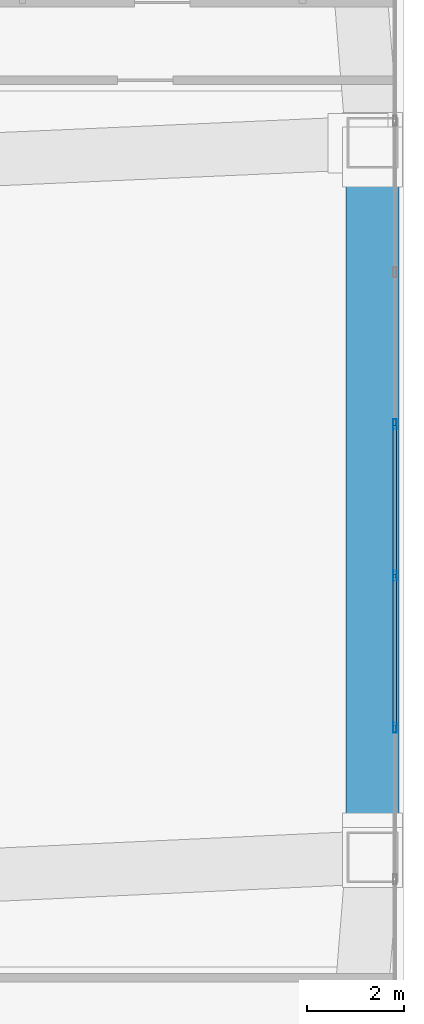
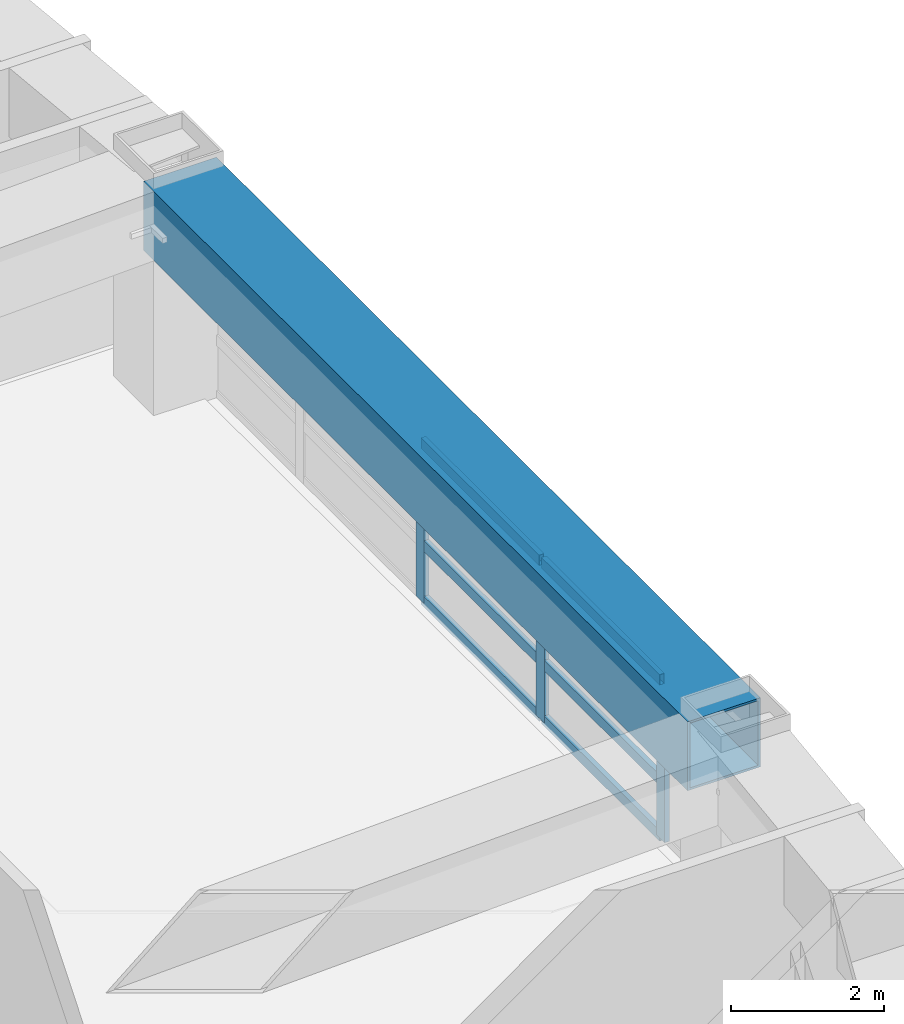
# One storey, part 4 of 16: 9 members, 1 beam, 1 element without a shape of its own.
"""IFC4 building model written with IfcOpenShell, lengths in metres."""

from ifc_helpers import new_model, si_unit, direction, frame, origin, origin_2d, place, context, subcontext, project, spatial, hollow_rectangle, extrude, material, layer, layer_set, material_profile, profile_set, type_object, element, aggregate, save


model = new_model("IFC4")

# Units and contexts
model_context = context("Model", 3, precision=1e-05, world=origin(), true_north=direction((0.0, 1.0)))
body_context = subcontext(model_context, "Body", "Model", "MODEL_VIEW")
ifc_project = project(units=[si_unit("LENGTHUNIT", "METRE"), si_unit("AREAUNIT", "SQUARE_METRE"), si_unit("VOLUMEUNIT", "CUBIC_METRE"), si_unit("PLANEANGLEUNIT", "RADIAN"), si_unit("MASSUNIT", "GRAM", prefix="KILO")], contexts=[model_context])

# Site, building, storey
site_placement = place(None, origin())
site = spatial("IfcSite", under=ifc_project, at=site_placement, CompositionType="ELEMENT")
building_placement = place(site_placement, origin())
building = spatial("IfcBuilding", under=site, at=building_placement, Name="Voryun Gate Residences", CompositionType="ELEMENT")
storey_placement = place(building_placement, frame((0.0, 0.0, 89.699951171875)))
storey = spatial("IfcBuildingStorey", under=building, at=storey_placement, Name="L21", CompositionType="ELEMENT", Elevation=89.699951171875)

# Beam
ifc_material_1 = material(Name="Steel SM420", Category="steel")
ifc_material_profile_1 = material_profile(ifc_material_1, hollow_rectangle(XDim=1.10009765625, YDim=1.10009765625, WallThickness=0.035888671875, at=origin_2d()), Name="BOX-1100x1100x36")
ifc_profile_set_1 = profile_set([ifc_material_profile_1], Name="Steel SM420")
beam_type = type_object("IfcBeamType", Name="BM_ARCH_RIB", PredefinedType="USERDEFINED", material=ifc_profile_set_1)
beam_placement = place(storey_placement, frame((32.75, -6.498046875, 3.10009765625), z_axis=(0.0, 1.0, 0.0), x_axis=(-1.0, 0.0, 0.0)))
element("IfcBeam", 1, at=beam_placement, inside=storey, type_object=beam_type, Name="BM-L21-SPAND-08", ObjectType="GIRDER", PredefinedType="USERDEFINED", context=body_context, shape_type="SweptSolid", body=[
    extrude(hollow_rectangle(XDim=1.10009765625, YDim=1.10009765625, WallThickness=0.035888671875, at=origin_2d()), origin(), (0.0, 0.0, 1.0), 14.196044921875),
])

# Curtain wall, members
ifc_material_2 = material(Name="Anodised aluminium", Category="aluminium")
ifc_layer = layer(ifc_material_2, 0.2099609375, Name="CW_SYS_SKYGARDEN_DARK_GLASS")
ifc_layer_set = layer_set([ifc_layer], Name="Anodised aluminium")
curtain_wall_type = type_object("IfcCurtainWallType", Name="CW_SYS_SKYGARDEN_DARK_GLASS", PredefinedType="NOTDEFINED", material=ifc_layer_set)
curtain_wall_placement = place(storey_placement, origin())
curtain_wall = element("IfcCurtainWall", 2, at=curtain_wall_placement, inside=storey, type_object=curtain_wall_type, Name="Curtain wall CW5-L21-SG-16", PredefinedType="NOTDEFINED")
ifc_material_3 = material(Name="Anodised aluminium", Category="aluminium")
ifc_material_profile_2 = material_profile(ifc_material_3, hollow_rectangle(XDim=0.074951171875, YDim=0.2099609375, WallThickness=0.0048828125, at=origin_2d()), Name="ALU-MULL-210x75x5")
ifc_profile_set_2 = profile_set([ifc_material_profile_2], Name="Anodised aluminium")
member_type_1 = type_object("IfcMemberType", Name="CW_MULL_SKY", PredefinedType="MULLION", material=ifc_profile_set_2)
member_1_placement = place(storey_placement, frame((33.2099609375, 2.1708984375, 0.0), z_axis=(0.0, 0.0, 1.0), x_axis=(1.0, 0.0, 0.0)))
member_1 = element("IfcMember", 3, at=member_1_placement, type_object=member_type_1, Name="CW5 mullion 4", PredefinedType="MULLION", context=body_context, shape_type="SweptSolid", body=[
    extrude(hollow_rectangle(XDim=0.074951171875, YDim=0.2099609375, WallThickness=0.0048828125, at=origin_2d()), origin(), (0.0, 0.0, 1.0), 2.5400390625),
])
member_2_placement = place(storey_placement, frame((33.2099609375, -0.970947265625, 0.0), z_axis=(0.0, 0.0, 1.0), x_axis=(1.0, 0.0, 0.0)))
member_2 = element("IfcMember", 4, at=member_2_placement, type_object=member_type_1, Name="CW5 mullion 5", PredefinedType="MULLION", context=body_context, shape_type="SweptSolid", body=[
    extrude(hollow_rectangle(XDim=0.074951171875, YDim=0.2099609375, WallThickness=0.0048828125, at=origin_2d()), origin(), (0.0, 0.0, 1.0), 2.5400390625),
])
member_3_placement = place(storey_placement, frame((33.2099609375, -4.112548828125, 0.0), z_axis=(0.0, 0.0, 1.0), x_axis=(1.0, 0.0, 0.0)))
member_3 = element("IfcMember", 5, at=member_3_placement, type_object=member_type_1, Name="CW5 mullion 6", PredefinedType="MULLION", context=body_context, shape_type="SweptSolid", body=[
    extrude(hollow_rectangle(XDim=0.074951171875, YDim=0.2099609375, WallThickness=0.0048828125, at=origin_2d()), origin(), (0.0, 0.0, 1.0), 2.5400390625),
])
ifc_material_4 = material(Name="Anodised aluminium", Category="aluminium")
ifc_material_profile_3 = material_profile(ifc_material_4, hollow_rectangle(XDim=0.074951171875, YDim=0.169921875, WallThickness=0.0048828125, at=origin_2d()), Name="ALU-TRAN-170x75x5")
ifc_profile_set_3 = profile_set([ifc_material_profile_3], Name="Anodised aluminium")
member_type_2 = type_object("IfcMemberType", Name="CW_TRAN_SKY", PredefinedType="USERDEFINED", material=ifc_profile_set_3)
member_4_placement = place(storey_placement, frame((33.2099609375, 2.140869140625, 0.030029296875), z_axis=(0.0, -1.0, 0.0), x_axis=(1.0, 0.0, 0.0)))
member_4 = element("IfcMember", 6, at=member_4_placement, type_object=member_type_2, Name="CW5 transom 4.1", ObjectType="TRANSOM", PredefinedType="USERDEFINED", context=body_context, shape_type="SweptSolid", body=[
    extrude(hollow_rectangle(XDim=0.074951171875, YDim=0.169921875, WallThickness=0.0048828125, at=origin_2d()), origin(), (0.0, 0.0, 1.0), 3.081787109375),
])
member_5_placement = place(storey_placement, frame((33.2099609375, 2.140869140625, 0.91455078125), z_axis=(0.0, -1.0, 0.0), x_axis=(1.0, 0.0, 0.0)))
member_5 = element("IfcMember", 7, at=member_5_placement, type_object=member_type_2, Name="CW5 transom 4.2", ObjectType="TRANSOM", PredefinedType="USERDEFINED", context=body_context, shape_type="SweptSolid", body=[
    extrude(hollow_rectangle(XDim=0.074951171875, YDim=0.169921875, WallThickness=0.0048828125, at=origin_2d()), origin(), (0.0, 0.0, 1.0), 3.081787109375),
])
member_6_placement = place(storey_placement, frame((33.2099609375, 2.140869140625, 2.510009765625), z_axis=(0.0, -1.0, 0.0), x_axis=(1.0, 0.0, 0.0)))
member_6 = element("IfcMember", 8, at=member_6_placement, type_object=member_type_2, Name="CW5 transom 4.3", ObjectType="TRANSOM", PredefinedType="USERDEFINED", context=body_context, shape_type="SweptSolid", body=[
    extrude(hollow_rectangle(XDim=0.074951171875, YDim=0.169921875, WallThickness=0.0048828125, at=origin_2d()), origin(), (0.0, 0.0, 1.0), 3.081787109375),
])
member_7_placement = place(storey_placement, frame((33.2099609375, -1.0009765625, 0.030029296875), z_axis=(0.0, -1.0, 0.0), x_axis=(1.0, 0.0, 0.0)))
member_7 = element("IfcMember", 9, at=member_7_placement, type_object=member_type_2, Name="CW5 transom 5.1", ObjectType="TRANSOM", PredefinedType="USERDEFINED", context=body_context, shape_type="SweptSolid", body=[
    extrude(hollow_rectangle(XDim=0.074951171875, YDim=0.169921875, WallThickness=0.0048828125, at=origin_2d()), origin(), (0.0, 0.0, 1.0), 3.08154296875),
])
member_8_placement = place(storey_placement, frame((33.2099609375, -1.0009765625, 0.91455078125), z_axis=(0.0, -1.0, 0.0), x_axis=(1.0, 0.0, 0.0)))
member_8 = element("IfcMember", 10, at=member_8_placement, type_object=member_type_2, Name="CW5 transom 5.2", ObjectType="TRANSOM", PredefinedType="USERDEFINED", context=body_context, shape_type="SweptSolid", body=[
    extrude(hollow_rectangle(XDim=0.074951171875, YDim=0.169921875, WallThickness=0.0048828125, at=origin_2d()), origin(), (0.0, 0.0, 1.0), 3.08154296875),
])
member_9_placement = place(storey_placement, frame((33.2099609375, -1.0009765625, 2.510009765625), z_axis=(0.0, -1.0, 0.0), x_axis=(1.0, 0.0, 0.0)))
member_9 = element("IfcMember", 11, at=member_9_placement, type_object=member_type_2, Name="CW5 transom 5.3", ObjectType="TRANSOM", PredefinedType="USERDEFINED", context=body_context, shape_type="SweptSolid", body=[
    extrude(hollow_rectangle(XDim=0.074951171875, YDim=0.169921875, WallThickness=0.0048828125, at=origin_2d()), origin(), (0.0, 0.0, 1.0), 3.08154296875),
])
aggregate(curtain_wall, [member_1, member_2, member_3, member_4, member_5, member_6, member_7, member_8, member_9])

save(model, "model.ifc")
